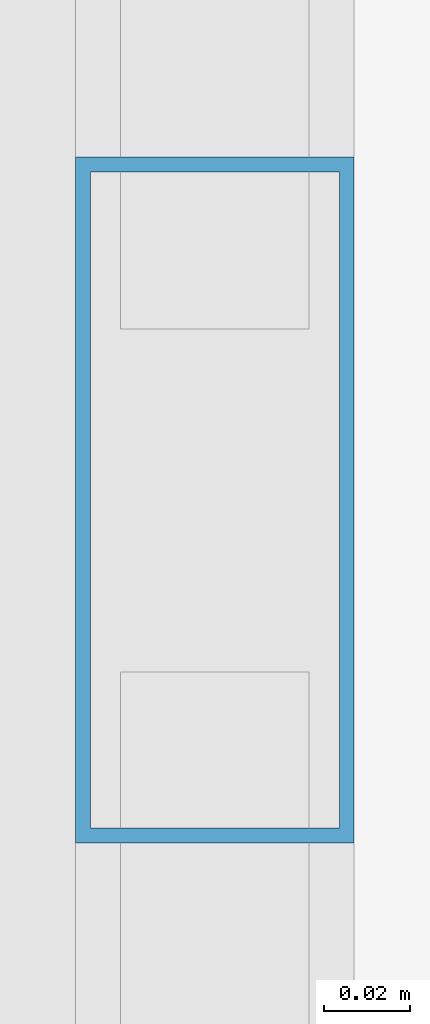
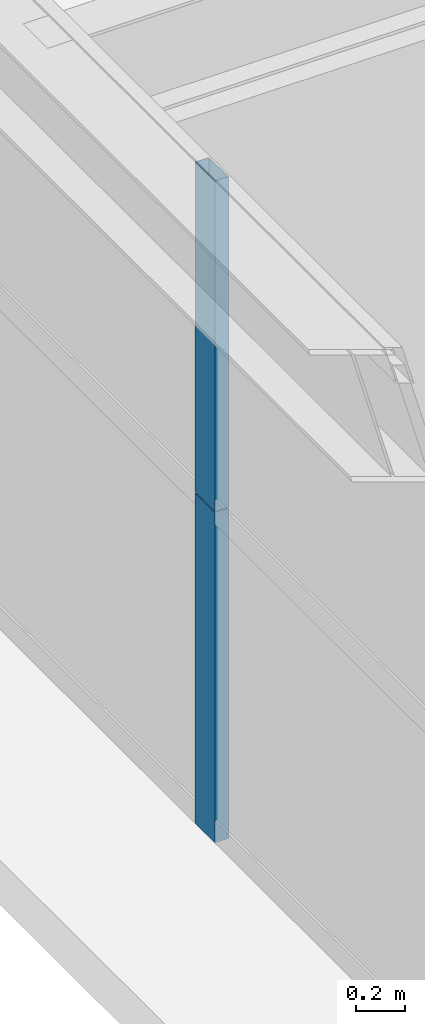
# One storey, part 8 of 38: 2 members, 1 element without a shape of its own.
"""IFC4 building model written with IfcOpenShell, lengths in metres."""

from ifc_helpers import new_model, si_unit, direction, frame, origin, origin_2d, place, context, subcontext, project, spatial, hollow_rectangle, extrude, source, transform, mapped, material, layer, layer_set, material_profile, profile_set, type_object, element, aggregate, save


model = new_model("IFC4")

# Units and contexts
model_context = context("Model", 3, precision=1e-05, world=origin(), true_north=direction((0.0, 1.0)))
body_context = subcontext(model_context, "Body", "Model", "MODEL_VIEW")
ifc_project = project(units=[si_unit("LENGTHUNIT", "METRE"), si_unit("AREAUNIT", "SQUARE_METRE"), si_unit("VOLUMEUNIT", "CUBIC_METRE"), si_unit("PLANEANGLEUNIT", "RADIAN"), si_unit("MASSUNIT", "GRAM", prefix="KILO"), si_unit("THERMODYNAMICTEMPERATUREUNIT", "KELVIN"), si_unit("POWERUNIT", "WATT")], contexts=[model_context])

# Site, building, storey
site_placement = place(None, origin())
site = spatial("IfcSite", under=ifc_project, at=site_placement, CompositionType="ELEMENT")
building_placement = place(site_placement, origin())
building = spatial("IfcBuilding", under=site, at=building_placement, Name="Yuzanri Waterfront Tower", CompositionType="ELEMENT")
storey_placement = place(building_placement, frame((0.0, 0.0, 188.0)))
storey = spatial("IfcBuildingStorey", under=building, at=storey_placement, Name="L49", CompositionType="ELEMENT", Elevation=188.0)

# Curtain wall, members
ifc_material_1 = material(Name="Anodized Architectural Bronze", Category="metal")
ifc_layer = layer(ifc_material_1, 0.159912109375)
ifc_layer_set = layer_set([ifc_layer], Name="Anodized Architectural Bronze")
curtain_wall_type = type_object("IfcCurtainWallType", Name="Anodized Bronze Mid-Rise Residential Acoustic Unitized Curtain Wall 7200", PredefinedType="NOTDEFINED", material=ifc_layer_set)
curtain_wall_placement = place(storey_placement, origin())
curtain_wall = element("IfcCurtainWall", 1, at=curtain_wall_placement, inside=storey, type_object=curtain_wall_type, Name="L49 Curtain Wall CW-L49-WL", PredefinedType="NOTDEFINED")
ifc_material_2 = material(Name="Anodized Architectural Bronze", Category="metal")
ifc_material_profile = material_profile(ifc_material_2, hollow_rectangle(XDim=0.06494140625, YDim=0.159912109375, WallThickness=0.00341796875, at=origin_2d()), Name="CWM 65x160")
ifc_profile_set = profile_set([ifc_material_profile], Name="Anodized Architectural Bronze")
member_type = type_object("IfcMemberType", Name="Anodized Bronze Upper-Zone Curtain-Wall Mullion 65x160", PredefinedType="MULLION", material=ifc_profile_set)
shared_shape = source(origin(), body_context, "Body", "SweptSolid", [
    extrude(hollow_rectangle(XDim=0.06494140625, YDim=0.159912109375, WallThickness=0.00341796875, at=origin_2d()), origin(), (0.0, 0.0, 1.0), 1.637939453125),
])
member_1_placement = place(storey_placement, frame((15.050048828125, 18.22509765625, 0.0), z_axis=(0.0, 0.0, 1.0), x_axis=(1.0, 0.0, 0.0)))
member_1 = element("IfcMember", 2, at=member_1_placement, type_object=member_type, Name="CW-L49-WL Lower Mullion 01", PredefinedType="MULLION", context=body_context, shape_type="MappedRepresentation", body=[
    mapped(shared_shape, transform((0.0, 0.0, 0.0), scale=1.0)),
])
member_2_placement = place(storey_placement, frame((15.050048828125, 18.22509765625, 1.64208984375), z_axis=(0.0, 0.0, 1.0), x_axis=(1.0, 0.0, 0.0)))
member_2 = element("IfcMember", 3, at=member_2_placement, type_object=member_type, Name="CW-L49-WL Upper Mullion 01", PredefinedType="MULLION", context=body_context, shape_type="MappedRepresentation", body=[
    mapped(shared_shape, transform((0.0, 0.0, 0.0), scale=1.0)),
])
aggregate(curtain_wall, [member_1, member_2])

save(model, "model.ifc")
